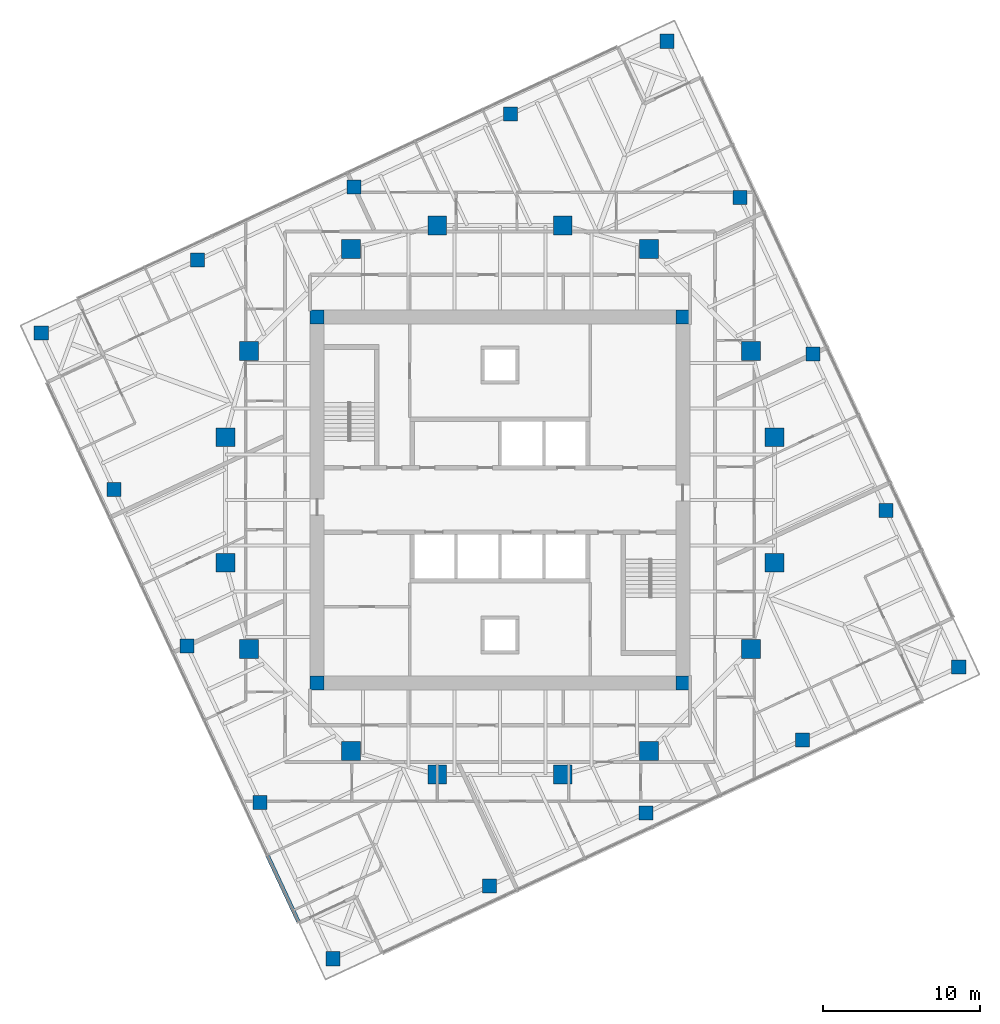
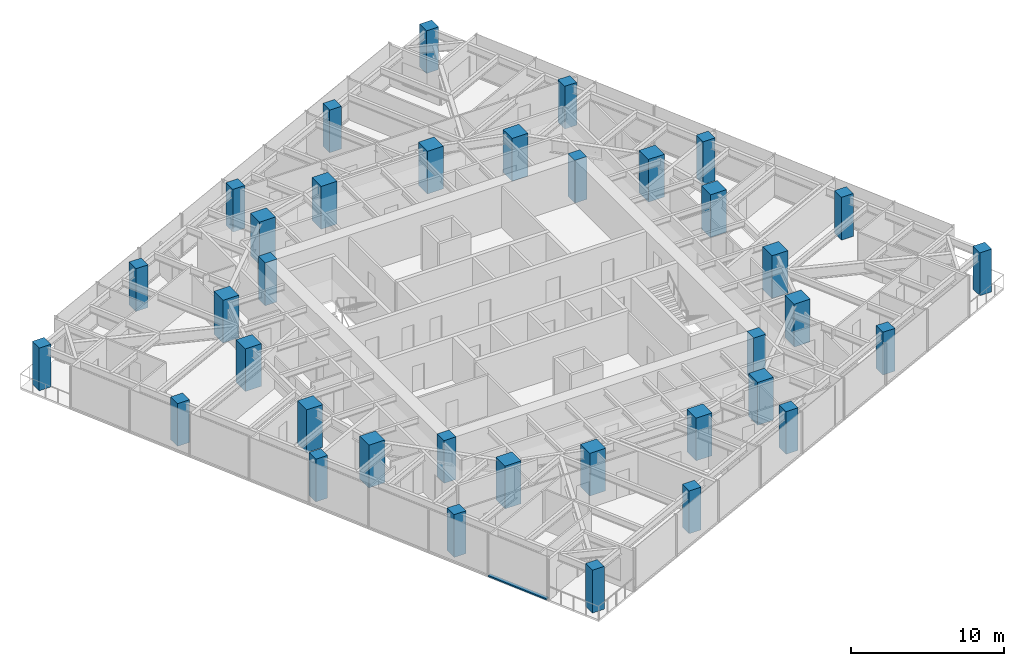
# One storey, part 1 of 12: 36 columns, 1 member, 1 element without a shape of its own.
"""IFC4 building model written with IfcOpenShell, lengths in metres."""

import ifcopenshell
import ifcopenshell.guid

model = None  # the IFC model being written
_history = None  # IfcOwnerHistory: only IFC2X3 demands one
_inside = {}  # id of a spatial element -> (the spatial element, [elements in it])
_under = {}  # id of a project, library or spatial element -> (it, [spatial elements below it])
_declared = {}  # id of a project -> (the project, [libraries it declares])
_typed = {}  # id of a type object -> (the type object, [elements of that type])
_made_of = {}  # id of a material, layer set ... -> (it, [elements and type objects made of it])


def new_model(schema):
    """Start an empty IFC model of exactly this schema.

    Asked for "IFC4X3", IfcOpenShell would pick the latest addendum, in which some entities
    have other attributes; the version numbers below select the first issue.
    IFC2X3 requires an IfcOwnerHistory on every rooted entity: one is made here for all.
    """
    global model, _history
    if schema == "IFC4X3":
        model = ifcopenshell.file(schema_version=(4, 3, 0, 0))
    else:
        model = ifcopenshell.file(schema=schema)
    _inside.clear()
    _under.clear()
    _declared.clear()
    _typed.clear()
    _made_of.clear()
    _history = None
    if model.schema == "IFC2X3":
        org = make("IfcOrganization", Name="unknown")
        user = make(
            "IfcPersonAndOrganization",
            ThePerson=make("IfcPerson", FamilyName="unknown"),
            TheOrganization=org,
        )
        app = make(
            "IfcApplication",
            ApplicationDeveloper=org,
            Version="unknown",
            ApplicationFullName="unknown",
            ApplicationIdentifier="unknown",
        )
        _history = make(
            "IfcOwnerHistory",
            OwningUser=user,
            OwningApplication=app,
            ChangeAction="ADDED",
            CreationDate=0,
        )
    return model


def make(cls, **values):
    """One entity of the class cls with the attributes given. An attribute that is None is left unset."""
    return model.create_entity(
        cls, **{name: value for name, value in values.items() if value is not None}
    )


def rooted(cls, **values):
    """An entity with a GlobalId (a new one), such as an element, a storey or a relation."""
    return make(cls, GlobalId=ifcopenshell.guid.new(), OwnerHistory=_history, **values)


def si_unit(unit_type, name, prefix=None):
    """IfcSIUnit, for example si_unit("LENGTHUNIT", "METRE", prefix="MILLI")."""
    return make("IfcSIUnit", UnitType=unit_type, Prefix=prefix, Name=name)


def assignment(units):
    """IfcUnitAssignment: the units of a project."""
    return None if units is None else make("IfcUnitAssignment", Units=units)


def point(xyz):
    """IfcCartesianPoint."""
    return None if xyz is None else make("IfcCartesianPoint", Coordinates=xyz)


def direction(xyz):
    """IfcDirection."""
    return None if xyz is None else make("IfcDirection", DirectionRatios=xyz)


def frame(location, z_axis=None, x_axis=None):
    """IfcAxis2Placement3D, a coordinate frame: its origin and axes. An axis left out is left unset."""
    return make(
        "IfcAxis2Placement3D",
        Location=point(location),
        Axis=direction(z_axis),
        RefDirection=direction(x_axis),
    )


def frame_2d(location, x_axis=None):
    """IfcAxis2Placement2D, a coordinate frame in the plane: its origin and x axis."""
    return make(
        "IfcAxis2Placement2D", Location=point(location), RefDirection=direction(x_axis)
    )


def origin():
    """The frame at (0, 0, 0) with its axes left unset."""
    return frame((0.0, 0.0, 0.0))


def origin_2d():
    """The frame at (0, 0) in the plane with its x axis left unset."""
    return frame_2d((0.0, 0.0))


def place(relative_to, where):
    """IfcLocalPlacement: puts the frame where relative to a parent placement (None: the world)."""
    return make(
        "IfcLocalPlacement", PlacementRelTo=relative_to, RelativePlacement=where
    )


def context(
    kind, dimensions, precision=None, world=None, true_north=None, identifier=None
):
    """IfcGeometricRepresentationContext, for example the 3D "Model" context."""
    return make(
        "IfcGeometricRepresentationContext",
        ContextIdentifier=identifier,
        ContextType=kind,
        CoordinateSpaceDimension=dimensions,
        Precision=precision,
        WorldCoordinateSystem=world,
        TrueNorth=true_north,
    )


def subcontext(parent, identifier, kind, view, scale=None):
    """IfcGeometricRepresentationSubContext, for example "Body" below "Model"."""
    return make(
        "IfcGeometricRepresentationSubContext",
        ContextIdentifier=identifier,
        ContextType=kind,
        ParentContext=parent,
        TargetScale=scale,
        TargetView=view,
    )


def project(units=None, contexts=None):
    """IfcProject with its units and contexts."""
    return rooted(
        "IfcProject",
        Name="project",
        RepresentationContexts=contexts,
        UnitsInContext=assignment(units),
    )


def spatial(cls, under=None, at=None, **own):
    """A site, building, storey or space (cls), placed at a placement, below another one or the project."""
    s = rooted(cls, ObjectPlacement=at, **own)
    if under is not None:
        _under.setdefault(under.id(), (under, []))[1].append(s)
    return s


def profile(cls, at=None, kind="AREA", **sizes):
    """A parametric profile (cls). Its sizes go by their IFC names, for example OverallWidth=200.0."""
    return make(cls, ProfileType=kind, Position=at, **sizes)


def rectangle(**sizes):
    """IfcRectangleProfileDef."""
    return profile("IfcRectangleProfileDef", **sizes)


def extrude(swept, where, along, depth):
    """IfcExtrudedAreaSolid: the profile swept, set in the frame where, extruded along a direction by depth."""
    return make(
        "IfcExtrudedAreaSolid",
        SweptArea=swept,
        Position=where,
        ExtrudedDirection=direction(along),
        Depth=depth,
    )


def shape(context_of_items, identifier, shape_type, items):
    """IfcShapeRepresentation: the items that make up one representation, for example the "Body"."""
    return make(
        "IfcShapeRepresentation",
        ContextOfItems=context_of_items,
        RepresentationIdentifier=identifier,
        RepresentationType=shape_type,
        Items=items,
    )


def material(Name=None, Category=None):
    """IfcMaterial."""
    return make("IfcMaterial", Name=Name, Category=Category)


def material_profile(
    of_material, cross_section, Name=None, Category=None, Priority=None
):
    """IfcMaterialProfile: a cross section and its material."""
    return make(
        "IfcMaterialProfile",
        Name=Name,
        Material=of_material,
        Profile=cross_section,
        Priority=Priority,
        Category=Category,
    )


def profile_set(profiles, Name=None, composite=None):
    """IfcMaterialProfileSet."""
    return make(
        "IfcMaterialProfileSet",
        Name=Name,
        MaterialProfiles=profiles,
        CompositeProfile=composite,
    )


def made_of(thing, what):
    """Note that an element or type object is made of a material, layer set ...; save() writes the relation."""
    if what is not None:
        _made_of.setdefault(what.id(), (what, []))[1].append(thing)
    return thing


def type_object(cls, material=None, **own):
    """A type object (cls), such as IfcWallType, which elements share."""
    return made_of(rooted(cls, **own), material)


def element(
    cls,
    number,
    at=None,
    inside=None,
    cuts=None,
    type_object=None,
    material=None,
    context=None,
    identifier="Body",
    shape_type=None,
    held_by="IfcProductDefinitionShape",
    body=None,
    shapes=None,
    **own,
):
    """One element of the class cls, such as IfcWall. Its Tag is "e" and its number.

    at: its placement. inside: the storey or other place that contains it. cuts: it is an
    opening in that element (IfcRelVoidsElement). A single representation is given by context,
    identifier, shape_type and body (its items); several are given by shapes. held_by: the class
    of the entity that holds the representations. save() writes the other relations.
    """
    e = rooted(cls, Tag="e%d" % number, ObjectPlacement=at, **own)
    if body is not None:
        shapes = [shape(context, identifier, shape_type, body)]
    if shapes is not None:
        e.Representation = make(held_by, Representations=shapes)
    if inside is not None:
        _inside.setdefault(inside.id(), (inside, []))[1].append(e)
    if cuts is not None:
        rooted(
            "IfcRelVoidsElement", RelatingBuildingElement=cuts, RelatedOpeningElement=e
        )
    if type_object is not None:
        _typed.setdefault(type_object.id(), (type_object, []))[1].append(e)
    return made_of(e, material)


def aggregate(whole, parts):
    """IfcRelAggregates: a whole, such as a stair, and the parts it consists of."""
    return rooted("IfcRelAggregates", RelatingObject=whole, RelatedObjects=parts)


def save(model, path):
    """Write the relations noted so far, then the file.

    IfcRelAggregates (storeys below a building ...), IfcRelContainedInSpatialStructure (elements
    in a storey), IfcRelDefinesByType, IfcRelAssociatesMaterial and IfcRelDeclares: one each for
    every whole, place, type object, material and project.
    """
    for whole, parts in _under.values():
        aggregate(whole, parts)
    for where, things in _inside.values():
        rooted(
            "IfcRelContainedInSpatialStructure",
            RelatedElements=things,
            RelatingStructure=where,
        )
    for kind, things in _typed.values():
        rooted("IfcRelDefinesByType", RelatedObjects=things, RelatingType=kind)
    for what, things in _made_of.values():
        rooted("IfcRelAssociatesMaterial", RelatedObjects=things, RelatingMaterial=what)
    for by, libraries in _declared.values():
        rooted("IfcRelDeclares", RelatingContext=by, RelatedDefinitions=libraries)
    model.write(path)


model = new_model("IFC4")

# Units and contexts
model_context = context("Model", 3, precision=1e-05, world=origin(), true_north=direction((0.0, 1.0)))
body_context = subcontext(model_context, "Body", "Model", "MODEL_VIEW")
ifc_project = project(units=[si_unit("LENGTHUNIT", "METRE"), si_unit("AREAUNIT", "SQUARE_METRE"), si_unit("VOLUMEUNIT", "CUBIC_METRE"), si_unit("PLANEANGLEUNIT", "RADIAN"), si_unit("MASSUNIT", "GRAM", prefix="KILO")], contexts=[model_context])

# Site, building, storey
site_placement = place(None, origin())
site = spatial("IfcSite", under=ifc_project, at=site_placement, CompositionType="ELEMENT")
building_placement = place(site_placement, origin())
building = spatial("IfcBuilding", under=site, at=building_placement, Name="Torsade Residences", CompositionType="ELEMENT")
storey_placement = place(building_placement, frame((0.0, 0.0, 189.60009765625)))
storey = spatial("IfcBuildingStorey", under=building, at=storey_placement, Name="L52", CompositionType="ELEMENT", Elevation=189.60009765625)

# Columns
ifc_material_1 = material(Name="Concrete 80 MPa", Category="concrete")
ifc_material_profile_1 = material_profile(ifc_material_1, rectangle(XDim=0.89990234375, YDim=0.89990234375, at=origin_2d()), Name="RC 900x900")
ifc_profile_set_1 = profile_set([ifc_material_profile_1], Name="Concrete 80 MPa")
column_type_1 = type_object("IfcColumnType", Name="CORE CORNER COLUMN RC 900x900", PredefinedType="COLUMN", material=ifc_profile_set_1)
for number, where, z_axis, x_axis, name in (
    (1, (28.35009765625, 18.35009765625, 0.0), (0.0, 0.0, 1.0), (1.0, 0.0, 0.0), "Core corner column CC1 L52"),
    (2, (51.64990234375, 18.35009765625, 0.0), (0.0, 0.0, 1.0), (1.0, 0.0, 0.0), "Core corner column CC2 L52"),
    (3, (51.64990234375, 41.64990234375, 0.0), (0.0, 0.0, 1.0), (1.0, 0.0, 0.0), "Core corner column CC3 L52"),
    (4, (28.35009765625, 41.64990234375, 0.0), (0.0, 0.0, 1.0), (1.0, 0.0, 0.0), "Core corner column CC4 L52"),
):
    element("IfcColumn", number, at=place(storey_placement, frame(where, z_axis=z_axis, x_axis=x_axis)), inside=storey, type_object=column_type_1, Name=name, PredefinedType="COLUMN", context=body_context, shape_type="SweptSolid", body=[
        extrude(rectangle(XDim=0.89990234375, YDim=0.89990234375, at=origin_2d()), origin(), (0.0, 0.0, 1.0), 3.39990234375),
    ])
ifc_material_2 = material(Name="Concrete 80 MPa", Category="concrete")
ifc_material_profile_2 = material_profile(ifc_material_2, rectangle(XDim=1.199951171875, YDim=1.199951171875, at=origin_2d()), Name="RC 1200x1200")
ifc_profile_set_2 = profile_set([ifc_material_profile_2], Name="Concrete 80 MPa")
column_type_2 = type_object("IfcColumnType", Name="INNER RING COLUMN RC 1200x1200", PredefinedType="COLUMN", material=ifc_profile_set_2)
for number, where, z_axis, x_axis, name in (
    (5, (57.5, 26.0, 0.0), (0.0, 0.0, 1.0), (1.0, 0.0, 0.0), "Inner ring column IR01 L52"),
    (6, (57.5, 34.0, 0.0), (0.0, 0.0, 1.0), (1.0, 0.0, 0.0), "Inner ring column IR02 L52"),
    (7, (56.0, 39.5, 0.0), (0.0, 0.0, 1.0), (1.0, 0.0, 0.0), "Inner ring column IR03 L52"),
    (8, (49.5, 46.0, 0.0), (0.0, 0.0, 1.0), (1.0, 0.0, 0.0), "Inner ring column IR04 L52"),
    (9, (44.0, 47.5, 0.0), (0.0, 0.0, 1.0), (1.0, 0.0, 0.0), "Inner ring column IR05 L52"),
    (10, (36.0, 47.5, 0.0), (0.0, 0.0, 1.0), (1.0, 0.0, 0.0), "Inner ring column IR06 L52"),
    (11, (30.5, 46.0, 0.0), (0.0, 0.0, 1.0), (1.0, 0.0, 0.0), "Inner ring column IR07 L52"),
    (12, (24.0, 39.5, 0.0), (0.0, 0.0, 1.0), (1.0, 0.0, 0.0), "Inner ring column IR08 L52"),
    (13, (22.5, 34.0, 0.0), (0.0, 0.0, 1.0), (1.0, 0.0, 0.0), "Inner ring column IR09 L52"),
    (14, (22.5, 26.0, 0.0), (0.0, 0.0, 1.0), (1.0, 0.0, 0.0), "Inner ring column IR10 L52"),
    (15, (24.0, 20.5, 0.0), (0.0, 0.0, 1.0), (1.0, 0.0, 0.0), "Inner ring column IR11 L52"),
    (16, (30.5, 14.0, 0.0), (0.0, 0.0, 1.0), (1.0, 0.0, 0.0), "Inner ring column IR12 L52"),
    (17, (36.0, 12.5, 0.0), (0.0, 0.0, 1.0), (1.0, 0.0, 0.0), "Inner ring column IR13 L52"),
    (18, (44.0, 12.5, 0.0), (0.0, 0.0, 1.0), (1.0, 0.0, 0.0), "Inner ring column IR14 L52"),
    (19, (49.5, 14.0, 0.0), (0.0, 0.0, 1.0), (1.0, 0.0, 0.0), "Inner ring column IR15 L52"),
    (20, (56.0, 20.5, 0.0), (0.0, 0.0, 1.0), (1.0, 0.0, 0.0), "Inner ring column IR16 L52"),
):
    element("IfcColumn", number, at=place(storey_placement, frame(where, z_axis=z_axis, x_axis=x_axis)), inside=storey, type_object=column_type_2, Name=name, PredefinedType="COLUMN", context=body_context, shape_type="SweptSolid", body=[
        extrude(rectangle(XDim=1.199951171875, YDim=1.199951171875, at=origin_2d()), origin(), (0.0, 0.0, 1.0), 3.39990234375),
    ])
ifc_material_3 = material(Name="Concrete 80 MPa", Category="concrete")
ifc_material_profile_3 = material_profile(ifc_material_3, rectangle(XDim=0.89990234375, YDim=0.89990234375, at=origin_2d()), Name="RC 900x900")
ifc_profile_set_3 = profile_set([ifc_material_profile_3], Name="Concrete 80 MPa")
column_type_3 = type_object("IfcColumnType", Name="TOWER COLUMN RC 900x900", PredefinedType="COLUMN", material=ifc_profile_set_3)
for number, where, z_axis, x_axis, name in (
    (21, (29.35888671875, 0.763671875, 0.0), (0.0, 0.0, 1.0), (1.0, 0.0, 0.0), "Column TC6-01 L52"),
    (22, (39.328125, 5.412353515625, 0.0), (0.0, 0.0, 1.0), (1.0, 0.0, 0.0), "Column TC6-02 L52"),
    (23, (49.297607421875, 10.061279296875, 0.0), (0.0, 0.0, 1.0), (1.0, 0.0, 0.0), "Column TC6-03 L52"),
    (24, (59.26708984375, 14.7099609375, 0.0), (0.0, 0.0, 1.0), (1.0, 0.0, 0.0), "Column TC6-04 L52"),
    (25, (69.236328125, 19.35888671875, 0.0), (0.0, 0.0, 1.0), (1.0, 0.0, 0.0), "Column TC6-05 L52"),
    (26, (64.587646484375, 29.328125, 0.0), (0.0, 0.0, 1.0), (1.0, 0.0, 0.0), "Column TC6-06 L52"),
    (27, (59.938720703125, 39.297607421875, 0.0), (0.0, 0.0, 1.0), (1.0, 0.0, 0.0), "Column TC6-07 L52"),
    (28, (55.2900390625, 49.26708984375, 0.0), (0.0, 0.0, 1.0), (1.0, 0.0, 0.0), "Column TC6-08 L52"),
    (29, (50.64111328125, 59.236328125, 0.0), (0.0, 0.0, 1.0), (1.0, 0.0, 0.0), "Column TC6-09 L52"),
    (30, (40.671875, 54.587646484375, 0.0), (0.0, 0.0, 1.0), (1.0, 0.0, 0.0), "Column TC6-10 L52"),
    (31, (30.702392578125, 49.938720703125, 0.0), (0.0, 0.0, 1.0), (1.0, 0.0, 0.0), "Column TC6-11 L52"),
    (32, (20.73291015625, 45.2900390625, 0.0), (0.0, 0.0, 1.0), (1.0, 0.0, 0.0), "Column TC6-12 L52"),
    (33, (10.763671875, 40.64111328125, 0.0), (0.0, 0.0, 1.0), (1.0, 0.0, 0.0), "Column TC6-13 L52"),
    (34, (15.412353515625, 30.671875, 0.0), (0.0, 0.0, 1.0), (1.0, 0.0, 0.0), "Column TC6-14 L52"),
    (35, (20.061279296875, 20.702392578125, 0.0), (0.0, 0.0, 1.0), (1.0, 0.0, 0.0), "Column TC6-15 L52"),
    (36, (24.7099609375, 10.73291015625, 0.0), (0.0, 0.0, 1.0), (1.0, 0.0, 0.0), "Column TC6-16 L52"),
):
    element("IfcColumn", number, at=place(storey_placement, frame(where, z_axis=z_axis, x_axis=x_axis)), inside=storey, type_object=column_type_3, Name=name, PredefinedType="COLUMN", context=body_context, shape_type="SweptSolid", body=[
        extrude(rectangle(XDim=0.89990234375, YDim=0.89990234375, at=origin_2d()), origin(), (0.0, 0.0, 1.0), 3.39990234375),
    ])

# Curtain wall, member
ifc_material_4 = material(Name="Aluminium and glass", Category="aluminium")
curtain_wall_type = type_object("IfcCurtainWallType", Name="FRITTED GLASS CURTAIN WALL MID ZONE", PredefinedType="NOTDEFINED", material=ifc_material_4)
curtain_wall_placement = place(storey_placement, origin())
curtain_wall = element("IfcCurtainWall", 37, at=curtain_wall_placement, inside=storey, type_object=curtain_wall_type, Name="Curtain wall L52 face 10", PredefinedType="NOTDEFINED")
ifc_material_5 = material(Name="Aluminium transom", Category="aluminium")
ifc_material_profile_4 = material_profile(ifc_material_5, rectangle(XDim=0.25, YDim=0.110107421875, at=origin_2d()), Name="MID ZONE CURTAIN WALL TRANSOM 250x110")
ifc_profile_set_4 = profile_set([ifc_material_profile_4], Name="Aluminium transom")
member_type = type_object("IfcMemberType", Name="MID ZONE CURTAIN WALL TRANSOM 250x110", PredefinedType="USERDEFINED", material=ifc_profile_set_4)
member_placement = place(storey_placement, frame((25.194091796875, 7.32861328125, 0.054931640625), z_axis=(0.422622764878, -0.906305687176, 0.0), x_axis=(0.906305687176, 0.422622764878, 0.0)))
member = element("IfcMember", 38, at=member_placement, type_object=member_type, Name="Transom 8.1", ObjectType="TRANSOM", PredefinedType="USERDEFINED", context=body_context, shape_type="SweptSolid", body=[
    extrude(rectangle(XDim=0.25, YDim=0.110107421875, at=origin_2d()), origin(), (0.0, 0.0, 1.0), 4.630126953125),
])
aggregate(curtain_wall, [member])

save(model, "model.ifc")
